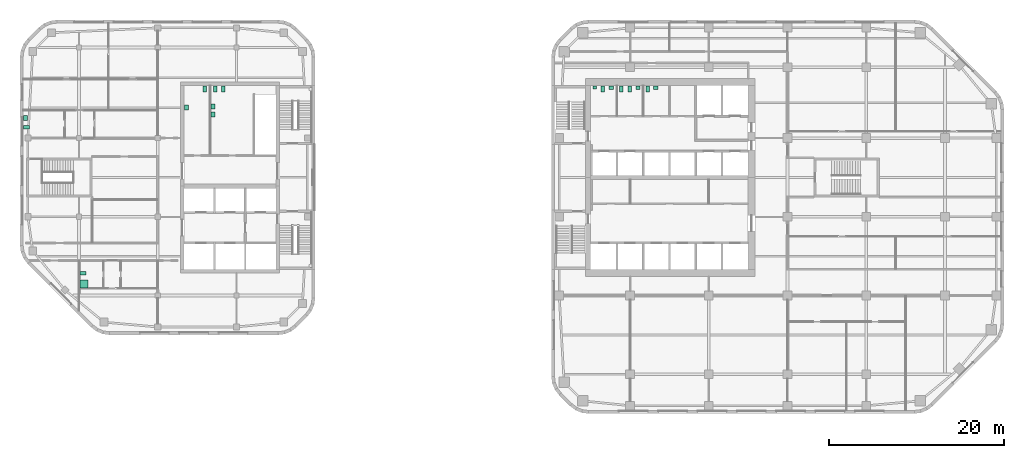
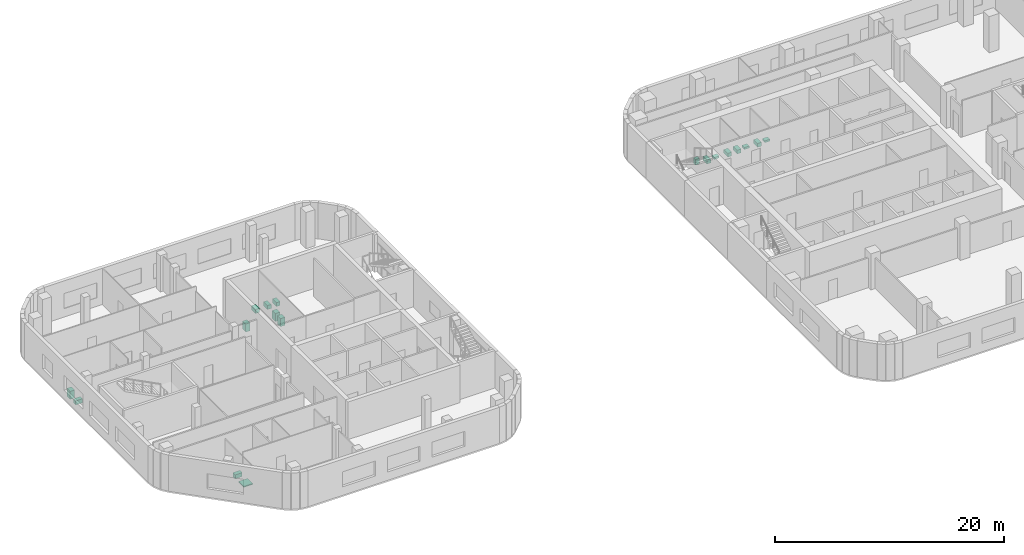
# One storey, part 14 of 14: 18 sanitary terminals.
"""IFC4 building model written with IfcOpenShell, lengths in metres."""

from ifc_helpers import new_model, si_unit, direction, frame, origin, origin_2d, place, context, subcontext, project, spatial, rectangle, extrude, material, type_object, element, save


model = new_model("IFC4")

# Units and contexts
model_context = context("Model", 3, precision=1e-05, world=origin(), true_north=direction((0.0, 1.0)))
body_context = subcontext(model_context, "Body", "Model", "MODEL_VIEW")
ifc_project = project(units=[si_unit("LENGTHUNIT", "METRE"), si_unit("AREAUNIT", "SQUARE_METRE"), si_unit("VOLUMEUNIT", "CUBIC_METRE"), si_unit("PLANEANGLEUNIT", "RADIAN"), si_unit("MASSUNIT", "GRAM", prefix="KILO")], contexts=[model_context])

# Site, building, storey
site_placement = place(None, origin())
site = spatial("IfcSite", under=ifc_project, at=site_placement, CompositionType="ELEMENT")
building_placement = place(site_placement, origin())
building = spatial("IfcBuilding", under=site, at=building_placement, Name="Cinnabar Reach Civic Tower", CompositionType="ELEMENT")
storey_placement = place(building_placement, frame((0.0, 0.0, 116.0)))
storey = spatial("IfcBuildingStorey", under=building, at=storey_placement, Name="L27", CompositionType="ELEMENT", Elevation=116.0)

# Sanitary terminals
ifc_material_1 = material(Name="Vitreous china")
sanitary_terminal_type_1 = type_object("IfcSanitaryTerminalType", Name="T1 WC pan", PredefinedType="TOILETPAN", material=ifc_material_1)
for number, where, z_axis, x_axis, name in (
    (1, (5.9, 41.6, 0.0), (0.0, 0.0, 1.0), (1.0, 0.0, 0.0), "T1 WC pan 2707-2"),
    (2, (8.0, 41.6, 0.0), (0.0, 0.0, 1.0), (1.0, 0.0, 0.0), "T1 WC pan 2708-1"),
    (3, (8.95, 41.6, 0.0), (0.0, 0.0, 1.0), (1.0, 0.0, 0.0), "T1 WC pan 2708-2"),
    (4, (11.0, 41.6, 0.0), (0.0, 0.0, 1.0), (1.0, 0.0, 0.0), "T1 WC pan 2709-1"),
):
    element("IfcSanitaryTerminal", number, at=place(storey_placement, frame(where, z_axis=z_axis, x_axis=x_axis)), inside=storey, type_object=sanitary_terminal_type_1, Name=name, PredefinedType="TOILETPAN", context=body_context, shape_type="SweptSolid", body=[
        extrude(rectangle(XDim=0.4, YDim=0.7, at=origin_2d()), origin(), (0.0, 0.0, 1.0), 0.4),
    ])
sanitary_terminal_type_2 = type_object("IfcSanitaryTerminalType", Name="T1 urinal", PredefinedType="URINAL", material=ifc_material_1)
sanitary_terminal_1_placement = place(storey_placement, frame((4.95, 41.775, 0.0), z_axis=(0.0, 0.0, 1.0), x_axis=(1.0, 0.0, 0.0)))
element("IfcSanitaryTerminal", 5, at=sanitary_terminal_1_placement, inside=storey, type_object=sanitary_terminal_type_2, Name="T1 urinal 2707-1", PredefinedType="URINAL", context=body_context, shape_type="SweptSolid", body=[
    extrude(rectangle(XDim=0.4, YDim=0.35, at=origin_2d()), origin(), (0.0, 0.0, 1.0), 0.6),
])
sanitary_terminal_type_3 = type_object("IfcSanitaryTerminalType", Name="T1 wash basin", PredefinedType="WASHHANDBASIN", material=ifc_material_1)
for number, where, z_axis, x_axis, name in (
    (6, (6.85, 41.74, 0.0), (0.0, 0.0, 1.0), (1.0, 0.0, 0.0), "T1 wash basin 2707-3"),
    (7, (9.9, 41.74, 0.0), (0.0, 0.0, 1.0), (1.0, 0.0, 0.0), "T1 wash basin 2708-3"),
    (8, (11.95, 41.74, 0.0), (0.0, 0.0, 1.0), (1.0, 0.0, 0.0), "T1 wash basin 2709-2"),
):
    element("IfcSanitaryTerminal", number, at=place(storey_placement, frame(where, z_axis=z_axis, x_axis=x_axis)), inside=storey, type_object=sanitary_terminal_type_3, Name=name, PredefinedType="WASHHANDBASIN", context=body_context, shape_type="SweptSolid", body=[
        extrude(rectangle(XDim=0.5, YDim=0.42, at=origin_2d()), origin(), (0.0, 0.0, 1.0), 0.2),
    ])
ifc_material_2 = material(Name="Acrylic tray")
sanitary_terminal_type_4 = type_object("IfcSanitaryTerminalType", Name="T2 Shower tray", PredefinedType="SHOWER", material=ifc_material_2)
sanitary_terminal_2_placement = place(storey_placement, frame((-53.45, 19.3, 0.0), z_axis=(0.0, 0.0, 1.0), x_axis=(1.0, 0.0, 0.0)))
element("IfcSanitaryTerminal", 9, at=sanitary_terminal_2_placement, inside=storey, type_object=sanitary_terminal_type_4, Name="Shower tray", PredefinedType="SHOWER", context=body_context, shape_type="SweptSolid", body=[
    extrude(rectangle(XDim=0.9, YDim=0.9, at=origin_2d()), origin(), (0.0, 0.0, 1.0), 0.1),
])
sanitary_terminal_type_5 = type_object("IfcSanitaryTerminalType", Name="T2 WC pan", PredefinedType="TOILETPAN", material=ifc_material_1)
for number, where, z_axis, x_axis, name in (
    (10, (-39.6, 41.6, 0.0), (0.0, 0.0, 1.0), (1.0, 0.0, 0.0), "WC pan"),
    (11, (-38.4, 41.6, 0.0), (0.0, 0.0, 1.0), (1.0, 0.0, 0.0), "WC pan"),
    (12, (-37.5, 41.6, 0.0), (0.0, 0.0, 1.0), (1.0, 0.0, 0.0), "WC pan"),
):
    element("IfcSanitaryTerminal", number, at=place(storey_placement, frame(where, z_axis=z_axis, x_axis=x_axis)), inside=storey, type_object=sanitary_terminal_type_5, Name=name, PredefinedType="TOILETPAN", context=body_context, shape_type="SweptSolid", body=[
        extrude(rectangle(XDim=0.4, YDim=0.7, at=origin_2d()), origin(), (0.0, 0.0, 1.0), 0.42),
    ])
for number, where, z_axis, x_axis, name in (
    (13, (-53.55, 20.55, 0.0), (0.0, 0.0, 1.0), (1.0, 0.0, 0.0), "WC pan"),
    (14, (-59.99, 37.25, 0.0), (0.0, 0.0, 1.0), (1.0, 0.0, 0.0), "WC pan"),
):
    element("IfcSanitaryTerminal", number, at=place(storey_placement, frame(where, z_axis=z_axis, x_axis=x_axis)), inside=storey, type_object=sanitary_terminal_type_5, Name=name, PredefinedType="TOILETPAN", context=body_context, shape_type="SweptSolid", body=[
        extrude(rectangle(XDim=0.7, YDim=0.4, at=origin_2d()), origin(), (0.0, 0.0, 1.0), 0.42),
    ])
sanitary_terminal_type_6 = type_object("IfcSanitaryTerminalType", Name="T2 Wash basin", PredefinedType="WASHHANDBASIN", material=ifc_material_1)
for number, where, z_axis, x_axis, name in (
    (15, (-41.725, 39.5, 0.0), (0.0, 0.0, 1.0), (1.0, 0.0, 0.0), "Wash basin"),
    (16, (-38.675, 39.6, 0.0), (0.0, 0.0, 1.0), (1.0, 0.0, 0.0), "Wash basin"),
    (17, (-38.675, 38.7, 0.0), (0.0, 0.0, 1.0), (1.0, 0.0, 0.0), "Wash basin"),
    (18, (-60.115, 38.3, 0.0), (0.0, 0.0, 1.0), (1.0, 0.0, 0.0), "Wash basin"),
):
    element("IfcSanitaryTerminal", number, at=place(storey_placement, frame(where, z_axis=z_axis, x_axis=x_axis)), inside=storey, type_object=sanitary_terminal_type_6, Name=name, PredefinedType="WASHHANDBASIN", context=body_context, shape_type="SweptSolid", body=[
        extrude(rectangle(XDim=0.45, YDim=0.55, at=origin_2d()), origin(), (0.0, 0.0, 1.0), 0.85),
    ])

save(model, "model.ifc")
